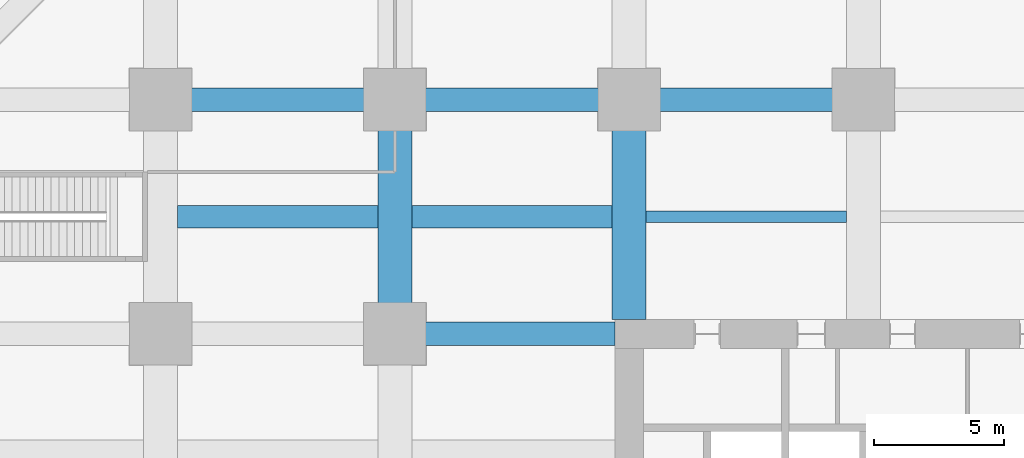
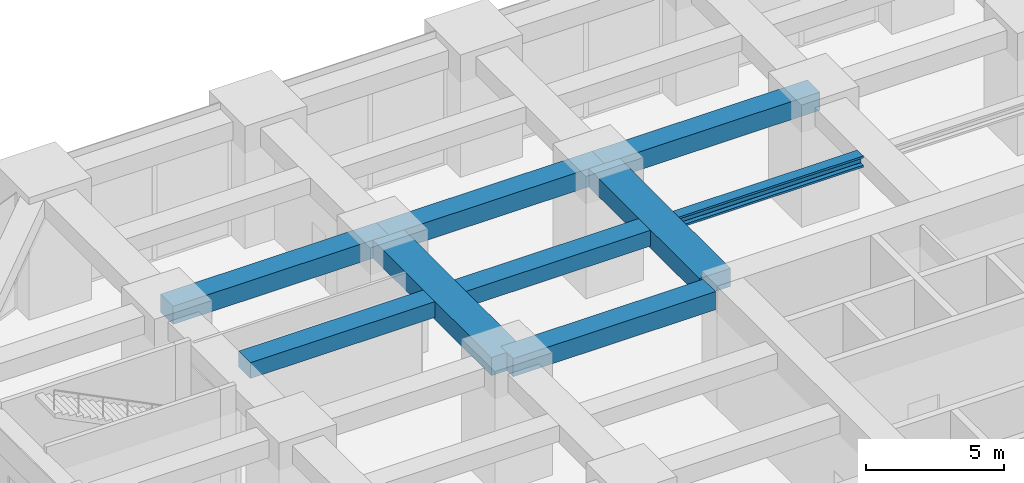
# One storey, part 21 of 45: 9 beams.
"""IFC4 building model written with IfcOpenShell, lengths in metres."""

from ifc_helpers import new_model, si_unit, direction, frame, origin, origin_2d, place, context, subcontext, project, spatial, rectangle, i_section, extrude, material, material_profile, profile_set, type_object, element, save


model = new_model("IFC4")

# Units and contexts
model_context = context("Model", 3, precision=1e-05, world=origin(), true_north=direction((0.0, 1.0)))
body_context = subcontext(model_context, "Body", "Model", "MODEL_VIEW")
ifc_project = project(units=[si_unit("LENGTHUNIT", "METRE"), si_unit("AREAUNIT", "SQUARE_METRE"), si_unit("VOLUMEUNIT", "CUBIC_METRE"), si_unit("PLANEANGLEUNIT", "RADIAN"), si_unit("MASSUNIT", "GRAM", prefix="KILO")], contexts=[model_context])

# Site, building, storey
site_placement = place(None, origin())
site = spatial("IfcSite", under=ifc_project, at=site_placement, CompositionType="ELEMENT")
building_placement = place(site_placement, origin())
building = spatial("IfcBuilding", under=site, at=building_placement, Name="Zorevar Civic Tower", CompositionType="ELEMENT")
storey_placement = place(building_placement, frame((0.0, 0.0, 5.39990234375)))
storey = spatial("IfcBuildingStorey", under=building, at=storey_placement, Name="L01", CompositionType="ELEMENT", Elevation=5.39990234375)

# Beams
ifc_material_1 = material(Name="Concrete C50/60", Category="concrete")
ifc_material_profile_1 = material_profile(ifc_material_1, rectangle(XDim=1.300048828125, YDim=0.800048828125, at=origin_2d()), Name="RC 1300x800")
ifc_profile_set_1 = profile_set([ifc_material_profile_1], Name="Concrete C50/60")
beam_type_1 = type_object("IfcBeamType", Name="Beam RC 1300x800", PredefinedType="BEAM", material=ifc_profile_set_1)
beam_1_placement = place(storey_placement, frame((9.0, 36.0, 4.7001953125), z_axis=(0.0, 1.0, 0.0), x_axis=(-1.0, 0.0, 0.0)))
element("IfcBeam", 1, at=beam_1_placement, inside=storey, type_object=beam_type_1, Name="Girder L02", PredefinedType="BEAM", context=body_context, shape_type="SweptSolid", body=[
    extrude(rectangle(XDim=1.300048828125, YDim=0.800048828125, at=origin_2d()), origin(), (0.0, 0.0, 1.0), 9.0),
])
beam_2_placement = place(storey_placement, frame((18.0, 36.550048828125, 4.7001953125), z_axis=(0.0, 1.0, 0.0), x_axis=(-1.0, 0.0, 0.0)))
element("IfcBeam", 2, at=beam_2_placement, inside=storey, type_object=beam_type_1, Name="Girder L02", PredefinedType="BEAM", context=body_context, shape_type="SweptSolid", body=[
    extrude(rectangle(XDim=1.300048828125, YDim=0.800048828125, at=origin_2d()), origin(), (0.0, 0.0, 1.0), 8.449951171875),
])
ifc_material_2 = material(Name="Concrete C50/60", Category="concrete")
ifc_material_profile_2 = material_profile(ifc_material_2, rectangle(XDim=0.85009765625, YDim=0.699951171875, at=origin_2d()), Name="RC 850x700")
ifc_profile_set_2 = profile_set([ifc_material_profile_2], Name="Concrete C50/60")
beam_type_2 = type_object("IfcBeamType", Name="Beam RC 850x700", PredefinedType="BEAM", material=ifc_profile_set_2)
for number, where, z_axis, x_axis, name in (
    (3, (0.64990234375, 40.5, 4.75), (1.0, 0.0, 0.0), (0.0, 1.0, 0.0), "Secondary beam L02"),
    (4, (9.64990234375, 40.5, 4.75), (1.0, 0.0, 0.0), (0.0, 1.0, 0.0), "Secondary beam L02"),
):
    element("IfcBeam", number, at=place(storey_placement, frame(where, z_axis=z_axis, x_axis=x_axis)), inside=storey, type_object=beam_type_2, Name=name, PredefinedType="BEAM", context=body_context, shape_type="SweptSolid", body=[
        extrude(rectangle(XDim=0.85009765625, YDim=0.699951171875, at=origin_2d()), origin(), (0.0, 0.0, 1.0), 7.7001953125),
    ])
ifc_material_3 = material(Name="Concrete C50/60", Category="concrete")
ifc_material_profile_3 = material_profile(ifc_material_3, rectangle(XDim=0.89990234375, YDim=0.800048828125, at=origin_2d()), Name="RC 900x800")
ifc_profile_set_3 = profile_set([ifc_material_profile_3], Name="Concrete C50/60")
beam_type_3 = type_object("IfcBeamType", Name="Beam RC 900x800", PredefinedType="BEAM", material=ifc_profile_set_3)
beam_3_placement = place(storey_placement, frame((9.0, 36.0, 4.7001953125), z_axis=(1.0, 0.0, 0.0), x_axis=(0.0, 1.0, 0.0)))
element("IfcBeam", 5, at=beam_3_placement, inside=storey, type_object=beam_type_3, Name="Girder L02", PredefinedType="BEAM", context=body_context, shape_type="SweptSolid", body=[
    extrude(rectangle(XDim=0.89990234375, YDim=0.800048828125, at=origin_2d()), origin(), (0.0, 0.0, 1.0), 8.449951171875),
])
for number, where, z_axis, x_axis, name in (
    (6, (0.0, 45.0, 4.7001953125), (1.0, 0.0, 0.0), (0.0, 1.0, 0.0), "Girder L02"),
    (7, (9.0, 45.0, 4.7001953125), (1.0, 0.0, 0.0), (0.0, 1.0, 0.0), "Girder L02"),
    (8, (18.0, 45.0, 4.7001953125), (1.0, 0.0, 0.0), (0.0, 1.0, 0.0), "Girder L02"),
):
    element("IfcBeam", number, at=place(storey_placement, frame(where, z_axis=z_axis, x_axis=x_axis)), inside=storey, type_object=beam_type_3, Name=name, PredefinedType="BEAM", context=body_context, shape_type="SweptSolid", body=[
        extrude(rectangle(XDim=0.89990234375, YDim=0.800048828125, at=origin_2d()), origin(), (0.0, 0.0, 1.0), 9.0),
    ])
ifc_material_4 = material(Name="Steel S460M (HISTAR 460)", Category="steel")
ifc_material_profile_4 = material_profile(ifc_material_4, i_section(OverallWidth=0.431884765625, OverallDepth=0.498046875, WebThickness=0.0556640625, FlangeThickness=0.0888671875, FilletRadius=0.014892578125, at=origin_2d()), Name="HD 400x744")
ifc_profile_set_4 = profile_set([ifc_material_profile_4], Name="Steel S460M (HISTAR 460)")
beam_type_4 = type_object("IfcBeamType", Name="Core bay beam HD 400x744", PredefinedType="BEAM", material=ifc_profile_set_4)
beam_4_placement = place(storey_placement, frame((18.64990234375, 40.5, 4.85107421875), z_axis=(1.0, 0.0, 0.0), x_axis=(0.0, 1.0, 0.0)))
element("IfcBeam", 9, at=beam_4_placement, inside=storey, type_object=beam_type_4, Name="Secondary beam L02", PredefinedType="BEAM", context=body_context, shape_type="SweptSolid", body=[
    extrude(i_section(OverallWidth=0.431884765625, OverallDepth=0.498046875, WebThickness=0.0556640625, FlangeThickness=0.0888671875, FilletRadius=0.014892578125, at=origin_2d()), origin(), (0.0, 0.0, 1.0), 7.7001953125),
])

save(model, "model.ifc")
